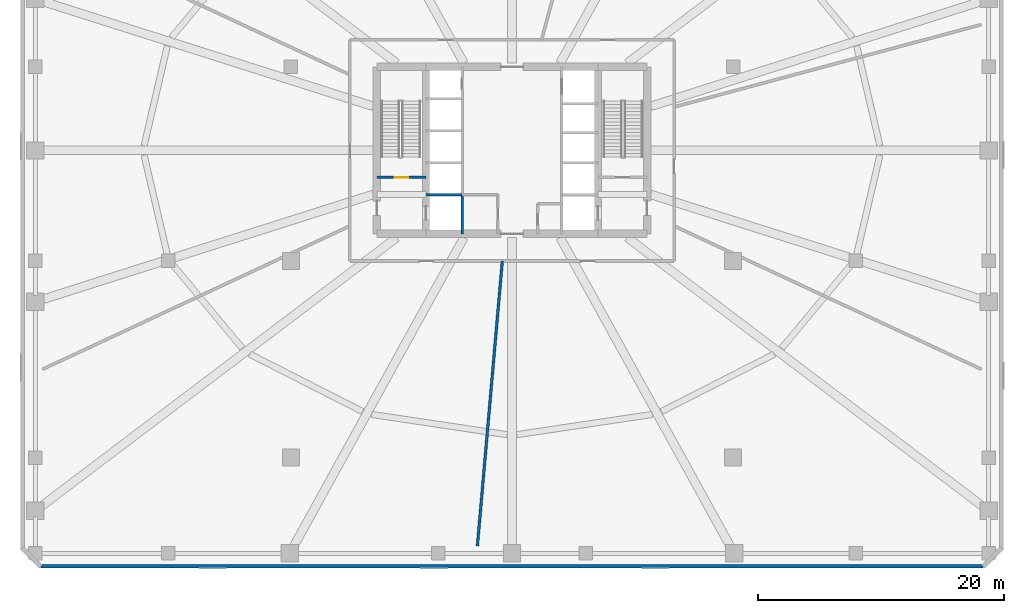
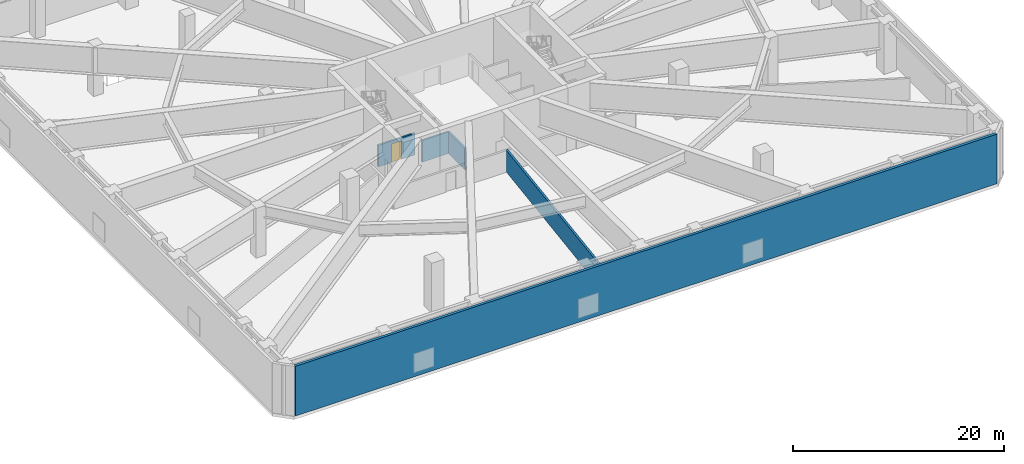
# One storey, part 3 of 9: 5 walls, 1 door, 1 opening.
"""IFC4 building model written with IfcOpenShell, lengths in metres."""

from ifc_helpers import new_model, si_unit, direction, frame, frame_2d, origin, place, context, subcontext, project, spatial, rectangle, extrude, material, layer, layer_set, type_object, element, fill, save


model = new_model("IFC4")

# Units and contexts
model_context = context("Model", 3, precision=1e-05, world=origin(), true_north=direction((0.0, 1.0)))
body_context = subcontext(model_context, "Body", "Model", "MODEL_VIEW")
ifc_project = project(units=[si_unit("LENGTHUNIT", "METRE"), si_unit("AREAUNIT", "SQUARE_METRE"), si_unit("VOLUMEUNIT", "CUBIC_METRE"), si_unit("PLANEANGLEUNIT", "RADIAN"), si_unit("MASSUNIT", "GRAM", prefix="KILO")], contexts=[model_context])

# Site, building, storey
site_placement = place(None, origin())
site = spatial("IfcSite", under=ifc_project, at=site_placement, CompositionType="ELEMENT")
building_placement = place(site_placement, origin())
building = spatial("IfcBuilding", under=site, at=building_placement, Name="Sarneth Arch Tower", CompositionType="ELEMENT")
storey_placement = place(building_placement, frame((0.0, 0.0, 22.199951171875)))
storey = spatial("IfcBuildingStorey", under=building, at=storey_placement, Name="L04", CompositionType="ELEMENT", Elevation=22.199951171875)

# Walls
ifc_material_1 = material(Name="Extruded terracotta rainscreen on Concrete C40/50 backing", Category="masonry")
ifc_layer_1 = layer(ifc_material_1, 0.300048828125)
ifc_layer_set_1 = layer_set([ifc_layer_1], Name="Extruded terracotta rainscreen on Concrete C40/50 backing")
wall_type_1 = type_object("IfcWallType", Name="WALL-EXT-ACOUST-300", PredefinedType="SOLIDWALL", material=ifc_layer_set_1)
wall_1_placement = place(storey_placement, frame((9.64990234375, 8.14990234375, 0.0), z_axis=(0.0, 0.0, 1.0), x_axis=(1.0, 0.0, 0.0)))
element("IfcWall", 1, at=wall_1_placement, inside=storey, type_object=wall_type_1, Name="L04 Podium exterior wall 1", PredefinedType="SOLIDWALL", context=body_context, shape_type="SweptSolid", body=[
    extrude(rectangle(XDim=76.7001953125, YDim=0.300048828125, at=frame_2d((38.35009765625, 0.0))), origin(), (0.0, 0.0, 1.0), 5.75),
])
ifc_material_2 = material(Name="Aerated concrete blockwork C25/30", Category="masonry")
ifc_layer_2 = layer(ifc_material_2, 0.219970703125)
ifc_layer_set_2 = layer_set([ifc_layer_2], Name="Aerated concrete blockwork C25/30")
wall_type_2 = type_object("IfcWallType", Name="WALL-FIRE-220", PredefinedType="SOLIDWALL", material=ifc_layer_set_2)
wall_2_placement = place(storey_placement, frame((47.212646484375, 33.0, 0.0), z_axis=(0.0, 0.0, 1.0), x_axis=(-0.08715797715, -0.996194502604, 0.0)))
element("IfcWall", 2, at=wall_2_placement, inside=storey, type_object=wall_type_2, Name="L04 Interior partition W-L04-TP-015", PredefinedType="SOLIDWALL", context=body_context, shape_type="SweptSolid", body=[
    extrude(rectangle(XDim=23.28857421875, YDim=0.219970703125, at=frame_2d((11.644287109375, 0.0))), origin(), (0.0, 0.0, 1.0), 2.5),
])

# Wall, opening, door
ifc_material_3 = material(Name="Aerated concrete blockwork C25/30", Category="masonry")
ifc_layer_3 = layer(ifc_material_3, 0.199951171875)
ifc_layer_set_3 = layer_set([ifc_layer_3], Name="Aerated concrete blockwork C25/30")
wall_type_3 = type_object("IfcWallType", Name="WALL-SHAFT-200", PredefinedType="SOLIDWALL", material=ifc_layer_set_3)
wall_3_placement = place(storey_placement, frame((37.0, 39.800048828125, 0.0), z_axis=(0.0, 0.0, 1.0), x_axis=(1.0, 0.0, 0.0)))
wall_3 = element("IfcWall", 3, at=wall_3_placement, inside=storey, type_object=wall_type_3, Name="L04 Interior partition W-L04-ST1-S", PredefinedType="SOLIDWALL", context=body_context, shape_type="SweptSolid", body=[
    extrude(rectangle(XDim=4.0, YDim=0.199951171875, at=frame_2d((2.0, 0.0))), origin(), (0.0, 0.0, 1.0), 2.5),
])
opening_placement = place(wall_3_placement, frame((1.449951171875, 0.0, 0.0)))
opening = element("IfcOpeningElement", 4, at=opening_placement, cuts=wall_3, Name="Opening FD-03", PredefinedType="OPENING", context=body_context, shape_type="SweptSolid", body=[
    extrude(rectangle(XDim=1.10009765625, YDim=2.14990234375, at=frame_2d((0.550048828125, 1.074951171875))), frame((0.0, 0.10986328125, 0.0), z_axis=(0.0, -1.0, 0.0), x_axis=(1.0, 0.0, 0.0)), (0.0, 0.0, 1.0), 0.219970703125),
])
ifc_material_4 = material(Name="Galvanised Steel S275 fire door set", Category="steel")
door_type = type_object("IfcDoorType", Name="DR-FD90-1100", OperationType="SINGLE_SWING_LEFT", PredefinedType="DOOR", material=ifc_material_4)
door_placement = place(opening_placement, origin())
door = element("IfcDoor", 5, at=door_placement, inside=storey, type_object=door_type, Name="L04 Interior door DR-L04-ST1", OperationType="SINGLE_SWING_LEFT", OverallHeight=2.14990234375, OverallWidth=1.10009765625, PredefinedType="DOOR", context=body_context, shape_type="SweptSolid", body=[
    extrude(rectangle(XDim=1.10009765625, YDim=2.14990234375, at=frame_2d((0.550048828125, 1.074951171875))), frame((0.0, 0.02490234375, 0.0), z_axis=(0.0, -1.0, 0.0), x_axis=(1.0, 0.0, 0.0)), (0.0, 0.0, 1.0), 0.050048828125),
])
fill(opening, door)

# Walls
wall_4_placement = place(storey_placement, frame((43.949951171875, 35.199951171875, 0.0), z_axis=(0.0, 0.0, 1.0), x_axis=(0.0, 1.0, 0.0)))
element("IfcWall", 6, at=wall_4_placement, inside=storey, type_object=wall_type_3, Name="L04 Interior partition W-L04-FL1-E", PredefinedType="SOLIDWALL", context=body_context, shape_type="SweptSolid", body=[
    extrude(rectangle(XDim=3.199951171875, YDim=0.199951171875, at=frame_2d((1.60009765625, 0.0))), origin(), (0.0, 0.0, 1.0), 2.5),
])
wall_5_placement = place(storey_placement, frame((41.0, 38.39990234375, 0.0), z_axis=(0.0, 0.0, 1.0), x_axis=(1.0, 0.0, 0.0)))
element("IfcWall", 7, at=wall_5_placement, inside=storey, type_object=wall_type_3, Name="L04 Interior partition W-L04-FL1-N", PredefinedType="SOLIDWALL", context=body_context, shape_type="SweptSolid", body=[
    extrude(rectangle(XDim=2.949951171875, YDim=0.199951171875, at=frame_2d((1.47509765625, 0.0))), origin(), (0.0, 0.0, 1.0), 2.5),
])

save(model, "model.ifc")
